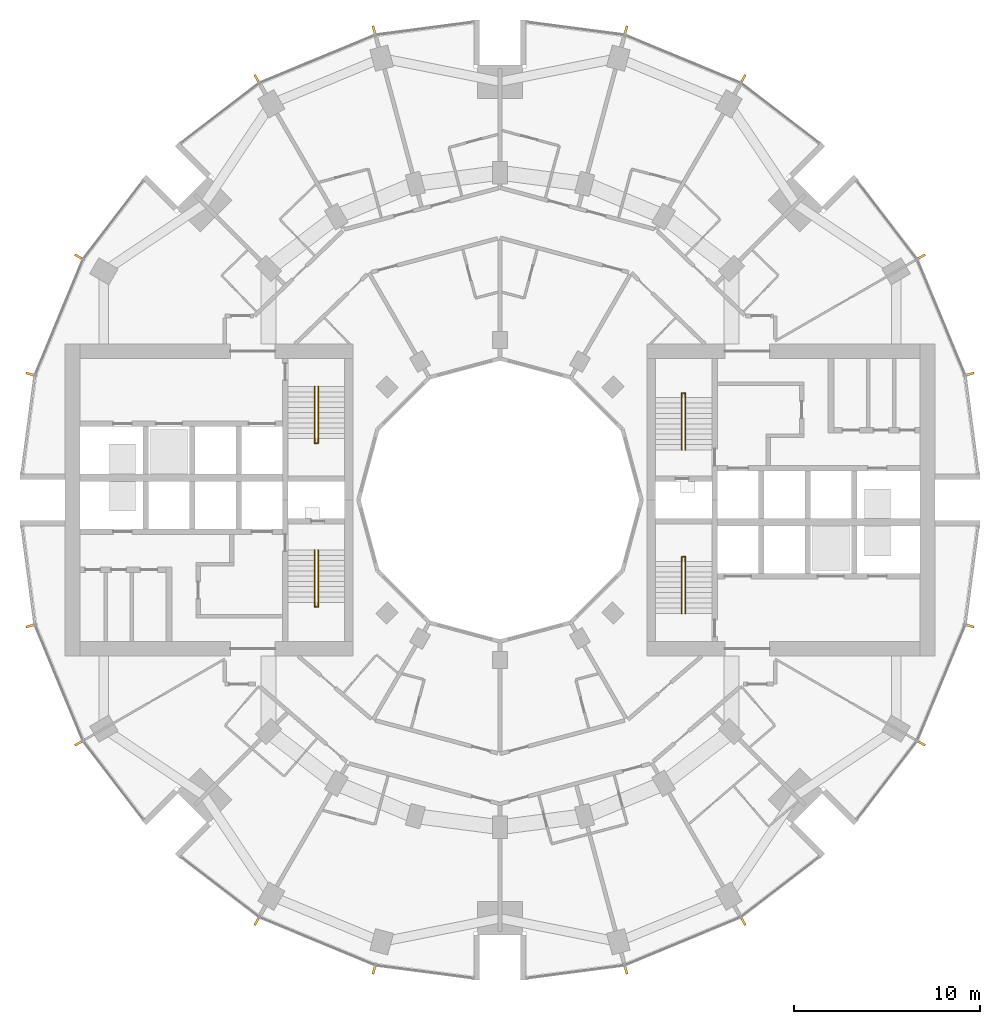
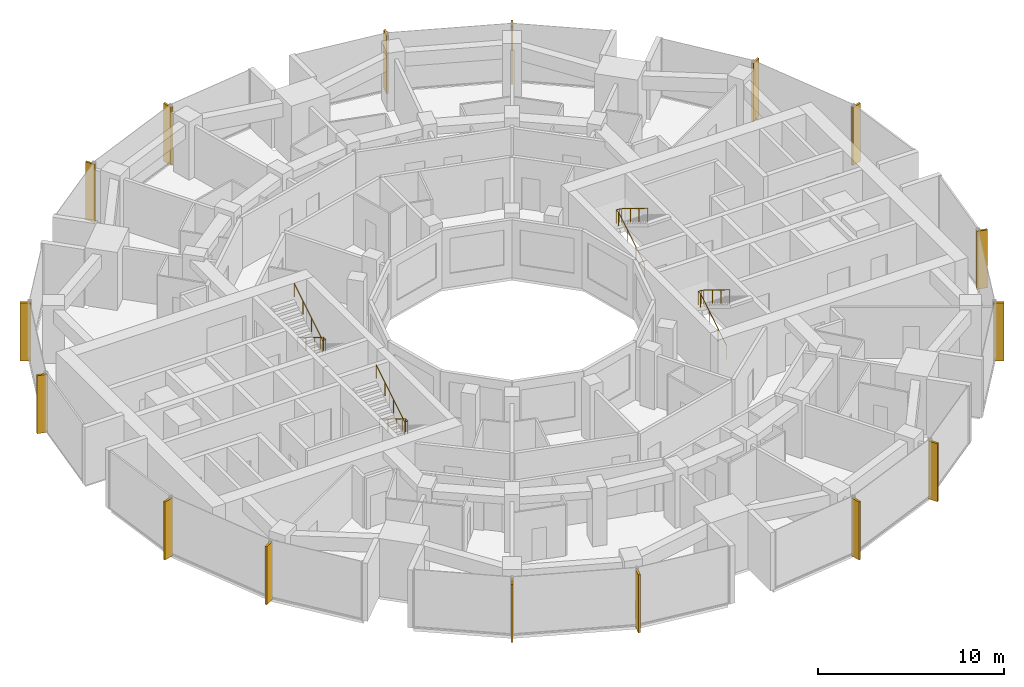
# One storey, part 14 of 15: 16 shading devices, 4 railings.
"""IFC4 building model written with IfcOpenShell, lengths in metres."""

from ifc_helpers import new_model, si_unit, direction, frame, origin, origin_2d, place, context, subcontext, project, spatial, rectangle, circle, extrude, material, material_profile, profile_set, type_object, element, save


model = new_model("IFC4")

# Units and contexts
model_context = context("Model", 3, precision=1e-05, world=origin(), true_north=direction((0.0, 1.0)))
body_context = subcontext(model_context, "Body", "Model", "MODEL_VIEW")
ifc_project = project(units=[si_unit("LENGTHUNIT", "METRE"), si_unit("AREAUNIT", "SQUARE_METRE"), si_unit("VOLUMEUNIT", "CUBIC_METRE"), si_unit("PLANEANGLEUNIT", "RADIAN"), si_unit("MASSUNIT", "GRAM", prefix="KILO")], contexts=[model_context])

# Site, building, storey
site_placement = place(None, origin())
site = spatial("IfcSite", under=ifc_project, at=site_placement, CompositionType="ELEMENT")
building_placement = place(site_placement, origin())
building = spatial("IfcBuilding", under=site, at=building_placement, Name="Torre Brocal", CompositionType="ELEMENT")
storey_placement = place(building_placement, frame((0.0, 0.0, 32.60009765625)))
storey = spatial("IfcBuildingStorey", under=building, at=storey_placement, Name="L06", CompositionType="ELEMENT", Elevation=32.60009765625)

# Shading devices
ifc_material_1 = material(Name="Aluminium, black anodised", Category="aluminium")
ifc_material_profile = material_profile(ifc_material_1, rectangle(XDim=0.1201171875, YDim=0.60009765625, at=origin_2d()), Name="FIN 120X600 3800 HIGH")
ifc_profile_set = profile_set([ifc_material_profile], Name="Aluminium, black anodised")
shading_device_type = type_object("IfcShadingDeviceType", Name="FIN 120X600 3800 HIGH", PredefinedType="USERDEFINED", material=ifc_profile_set)
for number, where, z_axis, x_axis, name in (
    (1, (105.208984375, 81.754638671875, -0.150146484375), (0.0, 0.0, 1.0), (-0.258819045103, 0.965925826289, 0.0), "FIN"),
    (2, (102.601806640625, 88.049072265625, -0.150146484375), (0.0, 0.0, 1.0), (-0.5, 0.866025403784, 0.0), "FIN"),
    (3, (93.049072265625, 97.601806640625, -0.150146484375), (0.0, 0.0, 1.0), (-0.866025403784, 0.5, 0.0), "FIN"),
    (4, (86.754638671875, 100.208984375, -0.150146484375), (0.0, 0.0, 1.0), (-0.965925826289, 0.258819045103, 0.0), "FIN"),
    (5, (73.245361328125, 100.208984375, -0.150146484375), (0.0, 0.0, 1.0), (-0.965925826289, -0.258819045103, 0.0), "FIN"),
    (6, (66.950927734375, 97.601806640625, -0.150146484375), (0.0, 0.0, 1.0), (-0.866025403784, -0.5, 0.0), "FIN"),
    (7, (57.398193359375, 88.049072265625, -0.150146484375), (0.0, 0.0, 1.0), (-0.5, -0.866025403784, 0.0), "FIN"),
    (8, (54.791015625, 81.754638671875, -0.150146484375), (0.0, 0.0, 1.0), (-0.258819045103, -0.965925826289, 0.0), "FIN"),
    (9, (54.791015625, 68.245361328125, -0.150146484375), (0.0, 0.0, 1.0), (0.258819045103, -0.965925826289, 0.0), "FIN"),
    (10, (57.398193359375, 61.950927734375, -0.150146484375), (0.0, 0.0, 1.0), (0.5, -0.866025403784, 0.0), "FIN"),
    (11, (66.950927734375, 52.398193359375, -0.150146484375), (0.0, 0.0, 1.0), (0.866025403784, -0.5, 0.0), "FIN"),
    (12, (73.245361328125, 49.791015625, -0.150146484375), (0.0, 0.0, 1.0), (0.965925826289, -0.258819045103, 0.0), "FIN"),
    (13, (86.754638671875, 49.791015625, -0.150146484375), (0.0, 0.0, 1.0), (0.965925826289, 0.258819045103, 0.0), "FIN"),
    (14, (93.049072265625, 52.398193359375, -0.150146484375), (0.0, 0.0, 1.0), (0.866025403784, 0.5, 0.0), "FIN"),
    (15, (102.601806640625, 61.950927734375, -0.150146484375), (0.0, 0.0, 1.0), (0.5, 0.866025403784, 0.0), "FIN"),
    (16, (105.208984375, 68.245361328125, -0.150146484375), (0.0, 0.0, 1.0), (0.258819045103, 0.965925826289, 0.0), "FIN"),
):
    element("IfcShadingDevice", number, at=place(storey_placement, frame(where, z_axis=z_axis, x_axis=x_axis)), inside=storey, type_object=shading_device_type, Name=name, ObjectType="FIN", PredefinedType="USERDEFINED", context=body_context, shape_type="SweptSolid", body=[
        extrude(rectangle(XDim=0.1201171875, YDim=0.60009765625, at=origin_2d()), origin(), (0.0, 0.0, 1.0), 3.800048828125),
    ])

# Railings
ifc_material_2 = material(Name="Stainless steel AISI 316", Category="steel")
railing_type = type_object("IfcRailingType", Name="STAIR HANDRAIL", PredefinedType="HANDRAIL", material=ifc_material_2)
railing_1_placement = place(storey_placement, frame((89.780029296875, 77.699951171875, 0.172607421875)))
element("IfcRailing", 17, at=railing_1_placement, inside=storey, type_object=railing_type, Name="HANDRAIL ST1", PredefinedType="HANDRAIL", context=body_context, shape_type="SweptSolid", body=[
    extrude(circle(Radius=0.02392578125, at=origin_2d()), frame((0.0, 0.0, 0.8759765625), z_axis=(0.0, 0.851089632645, 0.525020415988), x_axis=(-1.0, 0.0, 0.0)), (0.0, 0.0, 1.0), 3.2900390625),
    extrude(circle(Radius=0.02392578125, at=origin_2d()), frame((0.0, 2.800048828125, 2.60302734375), z_axis=(0.0, 1.0, 0.0), x_axis=(-1.0, 0.0, 0.0)), (0.0, 0.0, 1.0), 0.25),
    extrude(circle(Radius=0.02392578125, at=origin_2d()), frame((0.0, 3.050048828125, 2.60302734375), z_axis=(1.0, 0.0, 0.0), x_axis=(0.0, 1.0, 0.0)), (0.0, 0.0, 1.0), 0.18994140625),
    extrude(circle(Radius=0.02392578125, at=origin_2d()), frame((0.18994140625, 3.050048828125, 2.60302734375), z_axis=(0.0, -0.822914792866, 0.568164803277), x_axis=(1.0, 0.0, 0.0)), (0.0, 0.0, 1.0), 0.3037109375),
    extrude(circle(Radius=0.02392578125, at=origin_2d()), frame((0.18994140625, 2.800048828125, 2.77587890625), z_axis=(0.0, -0.851089632645, 0.525020415988), x_axis=(1.0, 0.0, 0.0)), (0.0, 0.0, 1.0), 3.2900390625),
    extrude(circle(Radius=0.02099609375, at=origin_2d()), origin(), (0.0, 0.0, 1.0), 0.851806640625),
    extrude(circle(Radius=0.02099609375, at=origin_2d()), frame((0.0, 0.933349609375, 0.57568359375)), (0.0, 0.0, 1.0), 0.851806640625),
    extrude(circle(Radius=0.02099609375, at=origin_2d()), frame((0.0, 1.86669921875, 1.151611328125)), (0.0, 0.0, 1.0), 0.851806640625),
    extrude(circle(Radius=0.02099609375, at=origin_2d()), frame((0.0, 2.800048828125, 1.727294921875)), (0.0, 0.0, 1.0), 0.851806640625),
    extrude(circle(Radius=0.02099609375, at=origin_2d()), frame((0.0, 3.050048828125, 1.727294921875)), (0.0, 0.0, 1.0), 0.851806640625),
    extrude(circle(Radius=0.02099609375, at=origin_2d()), frame((0.18994140625, 3.050048828125, 1.727294921875)), (0.0, 0.0, 1.0), 0.851806640625),
    extrude(circle(Radius=0.02099609375, at=origin_2d()), frame((0.18994140625, 2.800048828125, 1.89990234375)), (0.0, 0.0, 1.0), 0.851806640625),
    extrude(circle(Radius=0.02099609375, at=origin_2d()), frame((0.18994140625, 1.86669921875, 2.4755859375)), (0.0, 0.0, 1.0), 0.851806640625),
    extrude(circle(Radius=0.02099609375, at=origin_2d()), frame((0.18994140625, 0.933349609375, 3.051513671875)), (0.0, 0.0, 1.0), 0.851806640625),
    extrude(circle(Radius=0.02099609375, at=origin_2d()), frame((0.18994140625, 0.0, 3.627197265625)), (0.0, 0.0, 1.0), 0.851806640625),
])
railing_2_placement = place(storey_placement, frame((89.780029296875, 68.89990234375, 0.172607421875)))
element("IfcRailing", 18, at=railing_2_placement, inside=storey, type_object=railing_type, Name="HANDRAIL ST2", PredefinedType="HANDRAIL", context=body_context, shape_type="SweptSolid", body=[
    extrude(circle(Radius=0.02392578125, at=origin_2d()), frame((0.0, 0.0, 0.8759765625), z_axis=(0.0, 0.851089632645, 0.525020415988), x_axis=(-1.0, 0.0, 0.0)), (0.0, 0.0, 1.0), 3.2900390625),
    extrude(circle(Radius=0.02392578125, at=origin_2d()), frame((0.0, 2.800048828125, 2.60302734375), z_axis=(0.0, 1.0, 0.0), x_axis=(-1.0, 0.0, 0.0)), (0.0, 0.0, 1.0), 0.25),
    extrude(circle(Radius=0.02392578125, at=origin_2d()), frame((0.0, 3.050048828125, 2.60302734375), z_axis=(1.0, 0.0, 0.0), x_axis=(0.0, 1.0, 0.0)), (0.0, 0.0, 1.0), 0.18994140625),
    extrude(circle(Radius=0.02392578125, at=origin_2d()), frame((0.18994140625, 3.050048828125, 2.60302734375), z_axis=(0.0, -0.822914792866, 0.568164803277), x_axis=(1.0, 0.0, 0.0)), (0.0, 0.0, 1.0), 0.3037109375),
    extrude(circle(Radius=0.02392578125, at=origin_2d()), frame((0.18994140625, 2.800048828125, 2.77587890625), z_axis=(0.0, -0.851089632645, 0.525020415988), x_axis=(1.0, 0.0, 0.0)), (0.0, 0.0, 1.0), 3.2900390625),
    extrude(circle(Radius=0.02099609375, at=origin_2d()), origin(), (0.0, 0.0, 1.0), 0.851806640625),
    extrude(circle(Radius=0.02099609375, at=origin_2d()), frame((0.0, 0.933349609375, 0.57568359375)), (0.0, 0.0, 1.0), 0.851806640625),
    extrude(circle(Radius=0.02099609375, at=origin_2d()), frame((0.0, 1.86669921875, 1.151611328125)), (0.0, 0.0, 1.0), 0.851806640625),
    extrude(circle(Radius=0.02099609375, at=origin_2d()), frame((0.0, 2.800048828125, 1.727294921875)), (0.0, 0.0, 1.0), 0.851806640625),
    extrude(circle(Radius=0.02099609375, at=origin_2d()), frame((0.0, 3.050048828125, 1.727294921875)), (0.0, 0.0, 1.0), 0.851806640625),
    extrude(circle(Radius=0.02099609375, at=origin_2d()), frame((0.18994140625, 3.050048828125, 1.727294921875)), (0.0, 0.0, 1.0), 0.851806640625),
    extrude(circle(Radius=0.02099609375, at=origin_2d()), frame((0.18994140625, 2.800048828125, 1.89990234375)), (0.0, 0.0, 1.0), 0.851806640625),
    extrude(circle(Radius=0.02099609375, at=origin_2d()), frame((0.18994140625, 1.86669921875, 2.4755859375)), (0.0, 0.0, 1.0), 0.851806640625),
    extrude(circle(Radius=0.02099609375, at=origin_2d()), frame((0.18994140625, 0.933349609375, 3.051513671875)), (0.0, 0.0, 1.0), 0.851806640625),
    extrude(circle(Radius=0.02099609375, at=origin_2d()), frame((0.18994140625, 0.0, 3.627197265625)), (0.0, 0.0, 1.0), 0.851806640625),
])
railing_3_placement = place(storey_placement, frame((70.219970703125, 72.300048828125, 0.172607421875)))
element("IfcRailing", 19, at=railing_3_placement, inside=storey, type_object=railing_type, Name="HANDRAIL ST3", PredefinedType="HANDRAIL", context=body_context, shape_type="SweptSolid", body=[
    extrude(circle(Radius=0.02392578125, at=origin_2d()), frame((0.0, 0.0, 0.8759765625), z_axis=(0.0, -0.851089632645, 0.525020415988), x_axis=(1.0, 0.0, 0.0)), (0.0, 0.0, 1.0), 3.2900390625),
    extrude(circle(Radius=0.02392578125, at=origin_2d()), frame((0.0, -2.800048828125, 2.60302734375), z_axis=(0.0, -1.0, 0.0), x_axis=(1.0, 0.0, 0.0)), (0.0, 0.0, 1.0), 0.25),
    extrude(circle(Radius=0.02392578125, at=origin_2d()), frame((0.0, -3.050048828125, 2.60302734375), z_axis=(-1.0, 0.0, 0.0), x_axis=(0.0, -1.0, 0.0)), (0.0, 0.0, 1.0), 0.18994140625),
    extrude(circle(Radius=0.02392578125, at=origin_2d()), frame((-0.18994140625, -3.050048828125, 2.60302734375), z_axis=(0.0, 0.822914792866, 0.568164803277), x_axis=(-1.0, 0.0, 0.0)), (0.0, 0.0, 1.0), 0.3037109375),
    extrude(circle(Radius=0.02392578125, at=origin_2d()), frame((-0.18994140625, -2.800048828125, 2.77587890625), z_axis=(0.0, 0.851089632645, 0.525020415988), x_axis=(-1.0, 0.0, 0.0)), (0.0, 0.0, 1.0), 3.2900390625),
    extrude(circle(Radius=0.02099609375, at=origin_2d()), origin(), (0.0, 0.0, 1.0), 0.851806640625),
    extrude(circle(Radius=0.02099609375, at=origin_2d()), frame((0.0, -0.933349609375, 0.57568359375)), (0.0, 0.0, 1.0), 0.851806640625),
    extrude(circle(Radius=0.02099609375, at=origin_2d()), frame((0.0, -1.86669921875, 1.151611328125)), (0.0, 0.0, 1.0), 0.851806640625),
    extrude(circle(Radius=0.02099609375, at=origin_2d()), frame((0.0, -2.800048828125, 1.727294921875)), (0.0, 0.0, 1.0), 0.851806640625),
    extrude(circle(Radius=0.02099609375, at=origin_2d()), frame((0.0, -3.050048828125, 1.727294921875)), (0.0, 0.0, 1.0), 0.851806640625),
    extrude(circle(Radius=0.02099609375, at=origin_2d()), frame((-0.18994140625, -3.050048828125, 1.727294921875)), (0.0, 0.0, 1.0), 0.851806640625),
    extrude(circle(Radius=0.02099609375, at=origin_2d()), frame((-0.18994140625, -2.800048828125, 1.89990234375)), (0.0, 0.0, 1.0), 0.851806640625),
    extrude(circle(Radius=0.02099609375, at=origin_2d()), frame((-0.18994140625, -1.86669921875, 2.4755859375)), (0.0, 0.0, 1.0), 0.851806640625),
    extrude(circle(Radius=0.02099609375, at=origin_2d()), frame((-0.18994140625, -0.933349609375, 3.051513671875)), (0.0, 0.0, 1.0), 0.851806640625),
    extrude(circle(Radius=0.02099609375, at=origin_2d()), frame((-0.18994140625, 0.0, 3.627197265625)), (0.0, 0.0, 1.0), 0.851806640625),
])
railing_4_placement = place(storey_placement, frame((70.219970703125, 81.10009765625, 0.172607421875)))
element("IfcRailing", 20, at=railing_4_placement, inside=storey, type_object=railing_type, Name="HANDRAIL ST4", PredefinedType="HANDRAIL", context=body_context, shape_type="SweptSolid", body=[
    extrude(circle(Radius=0.02392578125, at=origin_2d()), frame((0.0, 0.0, 0.8759765625), z_axis=(0.0, -0.851089632645, 0.525020415988), x_axis=(1.0, 0.0, 0.0)), (0.0, 0.0, 1.0), 3.2900390625),
    extrude(circle(Radius=0.02392578125, at=origin_2d()), frame((0.0, -2.800048828125, 2.60302734375), z_axis=(0.0, -1.0, 0.0), x_axis=(1.0, 0.0, 0.0)), (0.0, 0.0, 1.0), 0.25),
    extrude(circle(Radius=0.02392578125, at=origin_2d()), frame((0.0, -3.050048828125, 2.60302734375), z_axis=(-1.0, 0.0, 0.0), x_axis=(0.0, -1.0, 0.0)), (0.0, 0.0, 1.0), 0.18994140625),
    extrude(circle(Radius=0.02392578125, at=origin_2d()), frame((-0.18994140625, -3.050048828125, 2.60302734375), z_axis=(0.0, 0.822914792866, 0.568164803277), x_axis=(-1.0, 0.0, 0.0)), (0.0, 0.0, 1.0), 0.3037109375),
    extrude(circle(Radius=0.02392578125, at=origin_2d()), frame((-0.18994140625, -2.800048828125, 2.77587890625), z_axis=(0.0, 0.851089632645, 0.525020415988), x_axis=(-1.0, 0.0, 0.0)), (0.0, 0.0, 1.0), 3.2900390625),
    extrude(circle(Radius=0.02099609375, at=origin_2d()), origin(), (0.0, 0.0, 1.0), 0.851806640625),
    extrude(circle(Radius=0.02099609375, at=origin_2d()), frame((0.0, -0.933349609375, 0.57568359375)), (0.0, 0.0, 1.0), 0.851806640625),
    extrude(circle(Radius=0.02099609375, at=origin_2d()), frame((0.0, -1.86669921875, 1.151611328125)), (0.0, 0.0, 1.0), 0.851806640625),
    extrude(circle(Radius=0.02099609375, at=origin_2d()), frame((0.0, -2.800048828125, 1.727294921875)), (0.0, 0.0, 1.0), 0.851806640625),
    extrude(circle(Radius=0.02099609375, at=origin_2d()), frame((0.0, -3.050048828125, 1.727294921875)), (0.0, 0.0, 1.0), 0.851806640625),
    extrude(circle(Radius=0.02099609375, at=origin_2d()), frame((-0.18994140625, -3.050048828125, 1.727294921875)), (0.0, 0.0, 1.0), 0.851806640625),
    extrude(circle(Radius=0.02099609375, at=origin_2d()), frame((-0.18994140625, -2.800048828125, 1.89990234375)), (0.0, 0.0, 1.0), 0.851806640625),
    extrude(circle(Radius=0.02099609375, at=origin_2d()), frame((-0.18994140625, -1.86669921875, 2.4755859375)), (0.0, 0.0, 1.0), 0.851806640625),
    extrude(circle(Radius=0.02099609375, at=origin_2d()), frame((-0.18994140625, -0.933349609375, 3.051513671875)), (0.0, 0.0, 1.0), 0.851806640625),
    extrude(circle(Radius=0.02099609375, at=origin_2d()), frame((-0.18994140625, 0.0, 3.627197265625)), (0.0, 0.0, 1.0), 0.851806640625),
])

save(model, "model.ifc")
